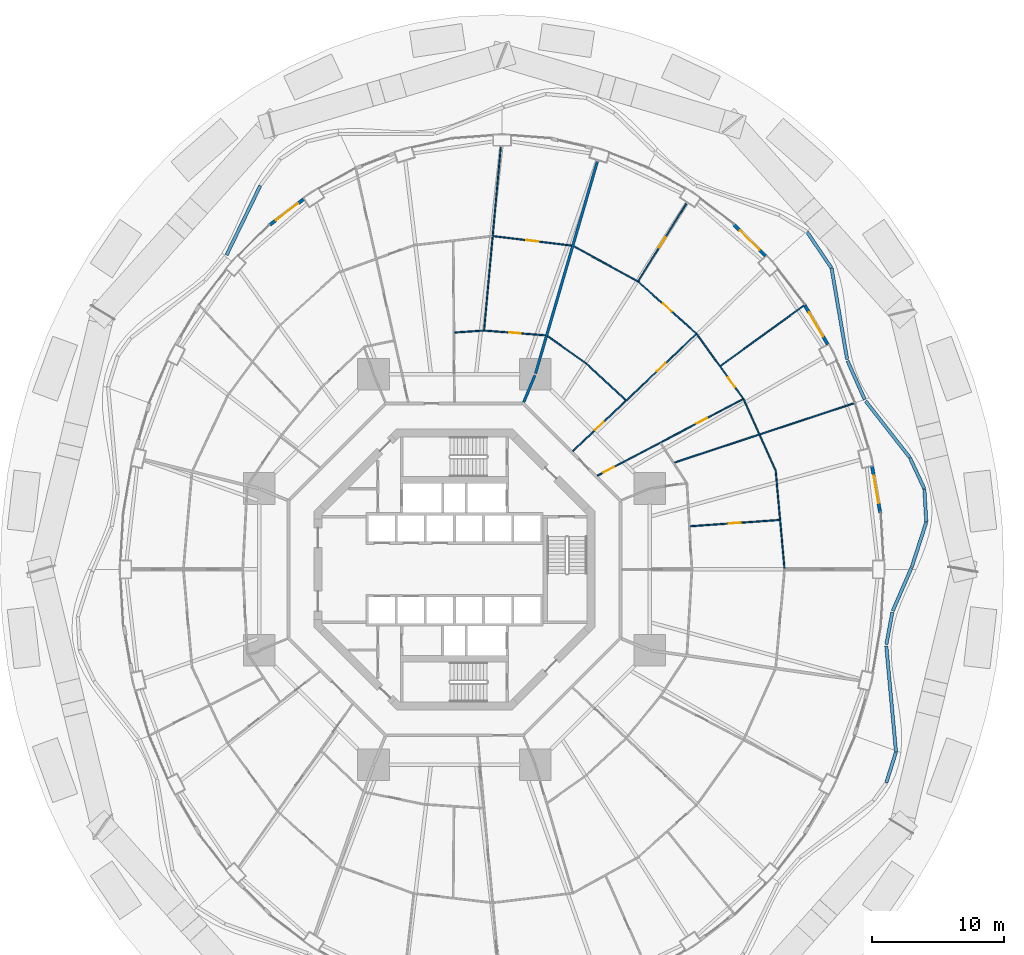
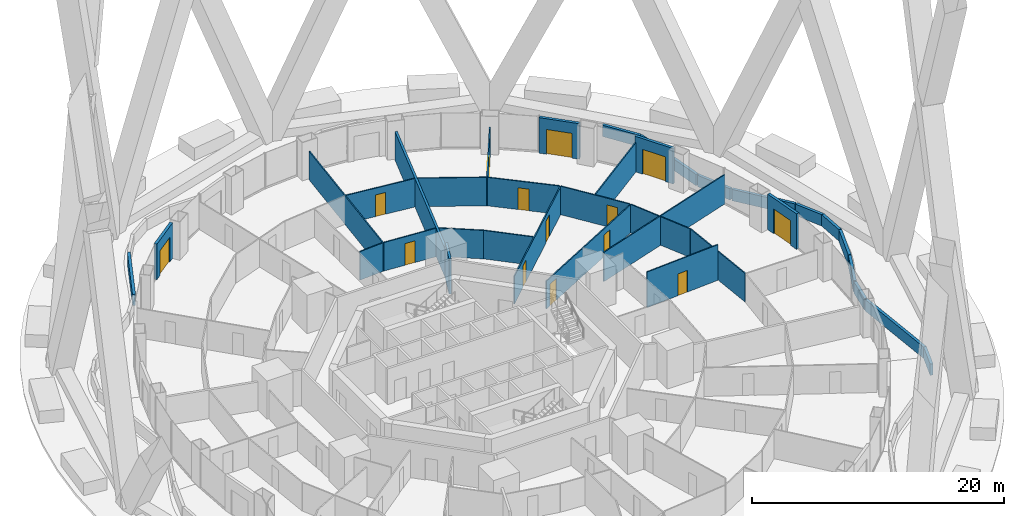
# One storey, part 39 of 42: 35 walls, 14 doors, 14 openings.
"""IFC4 building model written with IfcOpenShell, lengths in metres."""

from ifc_helpers import new_model, si_unit, direction, frame, frame_2d, origin, place, context, subcontext, project, spatial, rectangle, extrude, material, layer, layer_set, type_object, element, fill, save


model = new_model("IFC4")

# Units and contexts
model_context = context("Model", 3, precision=1e-05, world=origin(), true_north=direction((0.0, 1.0)))
body_context = subcontext(model_context, "Body", "Model", "MODEL_VIEW")
ifc_project = project(units=[si_unit("LENGTHUNIT", "METRE"), si_unit("AREAUNIT", "SQUARE_METRE"), si_unit("VOLUMEUNIT", "CUBIC_METRE"), si_unit("PLANEANGLEUNIT", "RADIAN"), si_unit("MASSUNIT", "GRAM", prefix="KILO")], contexts=[model_context])

# Site, building, storey
site_placement = place(None, origin())
site = spatial("IfcSite", under=ifc_project, at=site_placement, CompositionType="ELEMENT")
building_placement = place(site_placement, origin())
building = spatial("IfcBuilding", under=site, at=building_placement, Name="Nagisa Residences", CompositionType="ELEMENT")
storey_placement = place(building_placement, frame((0.0, 0.0, 27.0)))
storey = spatial("IfcBuildingStorey", under=building, at=storey_placement, Name="L05", CompositionType="ELEMENT", Elevation=27.0)

# Walls
ifc_material_1 = material(Name="Gypsum board on steel studs", Category="steel")
ifc_layer_1 = layer(ifc_material_1, 0.199951171875)
ifc_layer_set_1 = layer_set([ifc_layer_1], Name="Apartment compartment wall EI60 200")
wall_type_1 = type_object("IfcWallType", Name="Apartment compartment wall EI60 200", PredefinedType="PARTITIONING", material=ifc_layer_set_1)
wall_1_placement = place(storey_placement, frame((5.24267578125, 12.6572265625, 0.0), z_axis=(0.0, 0.0, 1.0), x_axis=(0.382707856524, 0.923869415315, 0.0)))
element("IfcWall", 1, at=wall_1_placement, inside=storey, type_object=wall_type_1, Name="wall:L05:u00", PredefinedType="PARTITIONING", context=body_context, shape_type="SweptSolid", body=[
    extrude(rectangle(XDim=2.2001953125, YDim=0.199951171875, at=frame_2d((1.10009765625, 0.0))), origin(), (0.0, 0.0, 1.0), 3.43994140625),
])
wall_2_placement = place(storey_placement, frame((6.136962890625, 14.830078125, 0.0), z_axis=(0.0, 0.0, 1.0), x_axis=(0.27985745069, 0.960041565399, 0.0)))
element("IfcWall", 2, at=wall_2_placement, inside=storey, type_object=wall_type_1, Name="wall:L05:u01", PredefinedType="PARTITIONING", context=body_context, shape_type="SweptSolid", body=[
    extrude(rectangle(XDim=16.705078125, YDim=0.199951171875, at=frame_2d((8.3525390625, 0.0))), origin(), (0.0, 0.0, 1.0), 2.756103515625),
])
ifc_material_2 = material(Name="Gypsum board on steel studs", Category="steel")
ifc_layer_2 = layer(ifc_material_2, 0.10009765625)
ifc_layer_set_2 = layer_set([ifc_layer_2], Name="Apartment partition 100")
wall_type_2 = type_object("IfcWallType", Name="Apartment partition 100", PredefinedType="PARTITIONING", material=ifc_layer_set_2)
wall_3_placement = place(storey_placement, frame((24.982177734375, 0.0498046875, 0.0), z_axis=(0.0, 0.0, 1.0), x_axis=(-0.089444214321, 0.995991833563, 0.0)))
element("IfcWall", 3, at=wall_3_placement, inside=storey, type_object=wall_type_2, Name="wall:L05:u20", PredefinedType="PARTITIONING", context=body_context, shape_type="SweptSolid", body=[
    extrude(rectangle(XDim=7.522705078125, YDim=0.10009765625, at=frame_2d((3.76123046875, 0.0))), origin(), (0.0, 0.0, 1.0), 2.756103515625),
])

# Wall, opening, door
wall_4_placement = place(storey_placement, frame((17.8330078125, 3.266845703125, 0.0), z_axis=(0.0, 0.0, 1.0), x_axis=(0.997537184513, 0.070139614438, 0.0)))
wall_4 = element("IfcWall", 4, at=wall_4_placement, inside=storey, type_object=wall_type_2, Name="wall:L05:u22", PredefinedType="PARTITIONING", context=body_context, shape_type="SweptSolid", body=[
    extrude(rectangle(XDim=6.783935546875, YDim=0.10009765625, at=frame_2d((3.39208984375, 0.0))), origin(), (0.0, 0.0, 1.0), 3.43994140625),
])
opening_1_placement = place(wall_4_placement, frame((2.94189453125, 0.0, 0.0)))
opening_1 = element("IfcOpeningElement", 5, at=opening_1_placement, cuts=wall_4, Name="Opening L05-U11", PredefinedType="OPENING", context=body_context, shape_type="SweptSolid", body=[
    extrude(rectangle(XDim=0.89990234375, YDim=2.10009765625, at=frame_2d((0.449951171875, 1.050048828125))), frame((0.0, 0.06005859375, 0.0), z_axis=(0.0, -1.0, 0.0), x_axis=(1.0, 0.0, 0.0)), (0.0, 0.0, 1.0), 0.1201171875),
])
ifc_material_3 = material(Name="Timber door set", Category="wood")
door_type_1 = type_object("IfcDoorType", Name="Apartment door 900x2100", OperationType="NOTDEFINED", PredefinedType="DOOR", material=ifc_material_3)
door_1_placement = place(opening_1_placement, origin())
door_1 = element("IfcDoor", 6, at=door_1_placement, inside=storey, type_object=door_type_1, Name="Door to kitchen, Apartment 05A", OperationType="SINGLE_SWING_LEFT", OverallHeight=2.10009765625, OverallWidth=0.89990234375, PredefinedType="DOOR", context=body_context, shape_type="SweptSolid", body=[
    extrude(rectangle(XDim=0.89990234375, YDim=2.10009765625, at=frame_2d((0.449951171875, 1.050048828125))), frame((0.0, 0.02490234375, 0.0), z_axis=(0.0, -1.0, 0.0), x_axis=(1.0, 0.0, 0.0)), (0.0, 0.0, 1.0), 0.050048828125),
])
fill(opening_1, door_1)

# Walls
wall_5_placement = place(storey_placement, frame((24.293212890625, 7.5380859375, 0.0), z_axis=(0.0, 0.0, 1.0), x_axis=(-0.410197710154, 0.911996622025, 0.0)))
element("IfcWall", 7, at=wall_5_placement, inside=storey, type_object=wall_type_2, Name="wall:L05:u26", PredefinedType="PARTITIONING", context=body_context, shape_type="SweptSolid", body=[
    extrude(rectangle(XDim=5.8369140625, YDim=0.10009765625, at=frame_2d((2.91845703125, 0.0))), origin(), (0.0, 0.0, 1.0), 2.756103515625),
])
wall_6_placement = place(storey_placement, frame((16.634521484375, 8.077880859375, 0.0), z_axis=(0.0, 0.0, 1.0), x_axis=(0.949412285442, 0.314032342684, 0.0)))
element("IfcWall", 8, at=wall_6_placement, inside=storey, type_object=wall_type_2, Name="wall:L05:u27", PredefinedType="PARTITIONING", context=body_context, shape_type="SweptSolid", body=[
    extrude(rectangle(XDim=14.450927734375, YDim=0.10009765625, at=frame_2d((7.2255859375, 0.0))), origin(), (0.0, 0.0, 1.0), 2.8369140625),
])

# Wall, openings, doors
wall_7_placement = place(storey_placement, frame((10.813232421875, 7.091064453125, 0.0), z_axis=(0.0, 0.0, 1.0), x_axis=(0.885182649479, 0.465243674928, 0.0)))
wall_7 = element("IfcWall", 9, at=wall_7_placement, inside=storey, type_object=wall_type_2, Name="wall:L05:u28", PredefinedType="PARTITIONING", context=body_context, shape_type="SweptSolid", body=[
    extrude(rectangle(XDim=12.550537109375, YDim=0.10009765625, at=frame_2d((6.275390625, 0.0))), origin(), (0.0, 0.0, 1.0), 2.68701171875),
])
opening_2_placement = place(wall_7_placement, frame((0.539306640625, 0.0, 0.0)))
opening_2 = element("IfcOpeningElement", 10, at=opening_2_placement, cuts=wall_7, Name="Opening L05-U02", PredefinedType="OPENING", context=body_context, shape_type="SweptSolid", body=[
    extrude(rectangle(XDim=0.89990234375, YDim=2.10009765625, at=frame_2d((0.449951171875, 1.050048828125))), frame((0.0, 0.06005859375, 0.0), z_axis=(0.0, -1.0, 0.0), x_axis=(1.0, 0.0, 0.0)), (0.0, 0.0, 1.0), 0.1201171875),
])
opening_3_placement = place(wall_7_placement, frame((8.493896484375, 0.0, 0.0)))
opening_3 = element("IfcOpeningElement", 11, at=opening_3_placement, cuts=wall_7, Name="Opening L05-U04", PredefinedType="OPENING", context=body_context, shape_type="SweptSolid", body=[
    extrude(rectangle(XDim=0.89990234375, YDim=2.10009765625, at=frame_2d((0.449951171875, 1.050048828125))), frame((0.0, 0.06005859375, 0.0), z_axis=(0.0, -1.0, 0.0), x_axis=(1.0, 0.0, 0.0)), (0.0, 0.0, 1.0), 0.1201171875),
])
door_2_placement = place(opening_2_placement, frame((0.89990234375, 0.0, 0.0), x_axis=(-1.0, 0.0, 0.0)))
door_2 = element("IfcDoor", 12, at=door_2_placement, inside=storey, type_object=door_type_1, Name="Door to family bathroom, Apartment 05A", OperationType="SINGLE_SWING_LEFT", OverallHeight=2.10009765625, OverallWidth=0.89990234375, PredefinedType="DOOR", context=body_context, shape_type="SweptSolid", body=[
    extrude(rectangle(XDim=0.89990234375, YDim=2.10009765625, at=frame_2d((0.449951171875, 1.050048828125))), frame((0.0, 0.02490234375, 0.0), z_axis=(0.0, -1.0, 0.0), x_axis=(1.0, 0.0, 0.0)), (0.0, 0.0, 1.0), 0.050048828125),
])
fill(opening_2, door_2)
door_3_placement = place(opening_3_placement, frame((0.89990234375, 0.0, 0.0), x_axis=(-1.0, 0.0, 0.0)))
door_3 = element("IfcDoor", 13, at=door_3_placement, inside=storey, type_object=door_type_1, Name="Door to family bathroom, Apartment 05A", OperationType="SINGLE_SWING_LEFT", OverallHeight=2.10009765625, OverallWidth=0.89990234375, PredefinedType="DOOR", context=body_context, shape_type="SweptSolid", body=[
    extrude(rectangle(XDim=0.89990234375, YDim=2.10009765625, at=frame_2d((0.449951171875, 1.050048828125))), frame((0.0, 0.02490234375, 0.0), z_axis=(0.0, -1.0, 0.0), x_axis=(1.0, 0.0, 0.0)), (0.0, 0.0, 1.0), 0.050048828125),
])
fill(opening_3, door_3)

# Wall, opening, door
wall_8_placement = place(storey_placement, frame((21.849365234375, 12.947509765625, 0.0), z_axis=(0.0, 0.0, 1.0), x_axis=(-0.584563700282, 0.811347817099, 0.0)))
wall_8 = element("IfcWall", 14, at=wall_8_placement, inside=storey, type_object=wall_type_2, Name="wall:L05:u29", PredefinedType="PARTITIONING", context=body_context, shape_type="SweptSolid", body=[
    extrude(rectangle(XDim=5.984375, YDim=0.10009765625, at=frame_2d((2.9921875, 0.0))), origin(), (0.0, 0.0, 1.0), 2.756103515625),
])
opening_4_placement = place(wall_8_placement, frame((1.046142578125, 0.0, 0.0)))
opening_4 = element("IfcOpeningElement", 15, at=opening_4_placement, cuts=wall_8, Name="Opening L05-U06", PredefinedType="OPENING", context=body_context, shape_type="SweptSolid", body=[
    extrude(rectangle(XDim=0.89990234375, YDim=2.10009765625, at=frame_2d((0.449951171875, 1.050048828125))), frame((0.0, 0.06005859375, 0.0), z_axis=(0.0, -1.0, 0.0), x_axis=(1.0, 0.0, 0.0)), (0.0, 0.0, 1.0), 0.1201171875),
])
door_4_placement = place(opening_4_placement, frame((0.89990234375, 0.0, 0.0), x_axis=(-1.0, 0.0, 0.0)))
door_4 = element("IfcDoor", 16, at=door_4_placement, inside=storey, type_object=door_type_1, Name="Door to master bedroom, Apartment 05A", OperationType="SINGLE_SWING_LEFT", OverallHeight=2.10009765625, OverallWidth=0.89990234375, PredefinedType="DOOR", context=body_context, shape_type="SweptSolid", body=[
    extrude(rectangle(XDim=0.89990234375, YDim=2.10009765625, at=frame_2d((0.449951171875, 1.050048828125))), frame((0.0, 0.02490234375, 0.0), z_axis=(0.0, -1.0, 0.0), x_axis=(1.0, 0.0, 0.0)), (0.0, 0.0, 1.0), 0.050048828125),
])
fill(opening_4, door_4)

# Wall
wall_9_placement = place(storey_placement, frame((20.140625, 15.404541015625, 0.0), z_axis=(0.0, 0.0, 1.0), x_axis=(0.809834895779, 0.58665785734, 0.0)))
element("IfcWall", 17, at=wall_9_placement, inside=storey, type_object=wall_type_2, Name="wall:L05:u30", PredefinedType="PARTITIONING", context=body_context, shape_type="SweptSolid", body=[
    extrude(rectangle(XDim=7.9453125, YDim=0.10009765625, at=frame_2d((3.97265625, 0.0))), origin(), (0.0, 0.0, 1.0), 2.8369140625),
])

# Wall, openings, doors
wall_10_placement = place(storey_placement, frame((8.95703125, 8.953369140625, 0.0), z_axis=(0.0, 0.0, 1.0), x_axis=(0.725250022034, 0.688485588476, 0.0)))
wall_10 = element("IfcWall", 18, at=wall_10_placement, inside=storey, type_object=wall_type_2, Name="wall:L05:u31", PredefinedType="PARTITIONING", context=body_context, shape_type="SweptSolid", body=[
    extrude(rectangle(XDim=12.962646484375, YDim=0.10009765625, at=frame_2d((6.4814453125, 0.0))), origin(), (0.0, 0.0, 1.0), 2.68701171875),
])
opening_5_placement = place(wall_10_placement, frame((2.33349609375, 0.0, 0.0)))
opening_5 = element("IfcOpeningElement", 19, at=opening_5_placement, cuts=wall_10, Name="Opening L05-U03", PredefinedType="OPENING", context=body_context, shape_type="SweptSolid", body=[
    extrude(rectangle(XDim=0.89990234375, YDim=2.10009765625, at=frame_2d((0.449951171875, 1.050048828125))), frame((0.0, 0.06005859375, 0.0), z_axis=(0.0, -1.0, 0.0), x_axis=(1.0, 0.0, 0.0)), (0.0, 0.0, 1.0), 0.1201171875),
])
opening_6_placement = place(wall_10_placement, frame((8.78955078125, 0.0, 0.0)))
opening_6 = element("IfcOpeningElement", 20, at=opening_6_placement, cuts=wall_10, Name="Opening L05-U05", PredefinedType="OPENING", context=body_context, shape_type="SweptSolid", body=[
    extrude(rectangle(XDim=0.89990234375, YDim=2.10009765625, at=frame_2d((0.449951171875, 1.050048828125))), frame((0.0, 0.06005859375, 0.0), z_axis=(0.0, -1.0, 0.0), x_axis=(1.0, 0.0, 0.0)), (0.0, 0.0, 1.0), 0.1201171875),
])
door_5_placement = place(opening_5_placement, origin())
door_5 = element("IfcDoor", 21, at=door_5_placement, inside=storey, type_object=door_type_1, Name="Door to store, Apartment 05A", OperationType="SINGLE_SWING_LEFT", OverallHeight=2.10009765625, OverallWidth=0.89990234375, PredefinedType="DOOR", context=body_context, shape_type="SweptSolid", body=[
    extrude(rectangle(XDim=0.89990234375, YDim=2.10009765625, at=frame_2d((0.449951171875, 1.050048828125))), frame((0.0, 0.02490234375, 0.0), z_axis=(0.0, -1.0, 0.0), x_axis=(1.0, 0.0, 0.0)), (0.0, 0.0, 1.0), 0.050048828125),
])
fill(opening_5, door_5)
door_6_placement = place(opening_6_placement, origin())
door_6 = element("IfcDoor", 22, at=door_6_placement, inside=storey, type_object=door_type_1, Name="Door to dining room, Apartment 05A", OperationType="SINGLE_SWING_LEFT", OverallHeight=2.10009765625, OverallWidth=0.89990234375, PredefinedType="DOOR", context=body_context, shape_type="SweptSolid", body=[
    extrude(rectangle(XDim=0.89990234375, YDim=2.10009765625, at=frame_2d((0.449951171875, 1.050048828125))), frame((0.0, 0.02490234375, 0.0), z_axis=(0.0, -1.0, 0.0), x_axis=(1.0, 0.0, 0.0)), (0.0, 0.0, 1.0), 0.050048828125),
])
fill(opening_6, door_6)

# Wall
wall_11_placement = place(storey_placement, frame((12.957763671875, 12.820068359375, 0.0), z_axis=(0.0, 0.0, 1.0), x_axis=(-0.732028724098, 0.681273768096, 0.0)))
element("IfcWall", 23, at=wall_11_placement, inside=storey, type_object=wall_type_2, Name="wall:L05:u32", PredefinedType="PARTITIONING", context=body_context, shape_type="SweptSolid", body=[
    extrude(rectangle(XDim=4.05029296875, YDim=0.10009765625, at=frame_2d((2.025146484375, 0.0))), origin(), (0.0, 0.0, 1.0), 2.756103515625),
])

# Wall, opening, door
wall_12_placement = place(storey_placement, frame((18.28466796875, 17.876953125, 0.0), z_axis=(0.0, 0.0, 1.0), x_axis=(-0.745806142791, 0.666163041136, 0.0)))
wall_12 = element("IfcWall", 24, at=wall_12_placement, inside=storey, type_object=wall_type_2, Name="wall:L05:u33", PredefinedType="PARTITIONING", context=body_context, shape_type="SweptSolid", body=[
    extrude(rectangle(XDim=5.83056640625, YDim=0.10009765625, at=frame_2d((2.915283203125, 0.0))), origin(), (0.0, 0.0, 1.0), 2.756103515625),
])
opening_7_placement = place(wall_12_placement, frame((2.46533203125, 0.0, 0.0)))
opening_7 = element("IfcOpeningElement", 25, at=opening_7_placement, cuts=wall_12, Name="Opening L05-U07", PredefinedType="OPENING", context=body_context, shape_type="SweptSolid", body=[
    extrude(rectangle(XDim=0.89990234375, YDim=2.10009765625, at=frame_2d((0.449951171875, 1.050048828125))), frame((0.0, 0.06005859375, 0.0), z_axis=(0.0, -1.0, 0.0), x_axis=(1.0, 0.0, 0.0)), (0.0, 0.0, 1.0), 0.1201171875),
])
door_7_placement = place(opening_7_placement, frame((0.89990234375, 0.0, 0.0), x_axis=(-1.0, 0.0, 0.0)))
door_7 = element("IfcDoor", 26, at=door_7_placement, inside=storey, type_object=door_type_1, Name="Door to family room, Apartment 05A", OperationType="SINGLE_SWING_RIGHT", OverallHeight=2.10009765625, OverallWidth=0.89990234375, PredefinedType="DOOR", context=body_context, shape_type="SweptSolid", body=[
    extrude(rectangle(XDim=0.89990234375, YDim=2.10009765625, at=frame_2d((0.449951171875, 1.050048828125))), frame((0.0, 0.02490234375, 0.0), z_axis=(0.0, -1.0, 0.0), x_axis=(1.0, 0.0, 0.0)), (0.0, 0.0, 1.0), 0.050048828125),
])
fill(opening_7, door_7)

# Wall
wall_13_placement = place(storey_placement, frame((9.98876953125, 15.57421875, 0.0), z_axis=(0.0, 0.0, 1.0), x_axis=(-0.81492039338, 0.57957290521, 0.0)))
element("IfcWall", 27, at=wall_13_placement, inside=storey, type_object=wall_type_2, Name="wall:L05:u34", PredefinedType="PARTITIONING", context=body_context, shape_type="SweptSolid", body=[
    extrude(rectangle(XDim=3.594482421875, YDim=0.10009765625, at=frame_2d((1.79736328125, 0.0))), origin(), (0.0, 0.0, 1.0), 2.756103515625),
])

# Wall, opening, door
wall_14_placement = place(storey_placement, frame((13.87255859375, 21.751708984375, 0.0), z_axis=(0.0, 0.0, 1.0), x_axis=(0.52644491616, 0.850209239099, 0.0)))
wall_14 = element("IfcWall", 28, at=wall_14_placement, inside=storey, type_object=wall_type_2, Name="wall:L05:u35", PredefinedType="PARTITIONING", context=body_context, shape_type="SweptSolid", body=[
    extrude(rectangle(XDim=6.98046875, YDim=0.10009765625, at=frame_2d((3.490234375, 0.0))), origin(), (0.0, 0.0, 1.0), 2.756103515625),
])
opening_8_placement = place(wall_14_placement, frame((3.065185546875, 0.0, 0.0)))
opening_8 = element("IfcOpeningElement", 29, at=opening_8_placement, cuts=wall_14, Name="Opening L05-U08", PredefinedType="OPENING", context=body_context, shape_type="SweptSolid", body=[
    extrude(rectangle(XDim=0.89990234375, YDim=2.10009765625, at=frame_2d((0.449951171875, 1.050048828125))), frame((0.0, 0.06005859375, 0.0), z_axis=(0.0, -1.0, 0.0), x_axis=(1.0, 0.0, 0.0)), (0.0, 0.0, 1.0), 0.1201171875),
])
door_8_placement = place(opening_8_placement, origin())
door_8 = element("IfcDoor", 30, at=door_8_placement, inside=storey, type_object=door_type_1, Name="Door to master bedroom, Apartment 05A", OperationType="SINGLE_SWING_RIGHT", OverallHeight=2.10009765625, OverallWidth=0.89990234375, PredefinedType="DOOR", context=body_context, shape_type="SweptSolid", body=[
    extrude(rectangle(XDim=0.89990234375, YDim=2.10009765625, at=frame_2d((0.449951171875, 1.050048828125))), frame((0.0, 0.02490234375, 0.0), z_axis=(0.0, -1.0, 0.0), x_axis=(1.0, 0.0, 0.0)), (0.0, 0.0, 1.0), 0.050048828125),
])
fill(opening_8, door_8)

# Wall
wall_15_placement = place(storey_placement, frame((13.85498046875, 21.818359375, 0.0), z_axis=(0.0, 0.0, 1.0), x_axis=(-0.876809987787, 0.480837025734, 0.0)))
element("IfcWall", 31, at=wall_15_placement, inside=storey, type_object=wall_type_2, Name="wall:L05:u36", PredefinedType="PARTITIONING", context=body_context, shape_type="SweptSolid", body=[
    extrude(rectangle(XDim=5.486083984375, YDim=0.10009765625, at=frame_2d((2.7431640625, 0.0))), origin(), (0.0, 0.0, 1.0), 2.756103515625),
])

# Wall, opening, door
wall_16_placement = place(storey_placement, frame((6.878173828125, 17.72314453125, 0.0), z_axis=(0.0, 0.0, 1.0), x_axis=(-0.99701850123, 0.077162868047, 0.0)))
wall_16 = element("IfcWall", 32, at=wall_16_placement, inside=storey, type_object=wall_type_2, Name="wall:L05:u37", PredefinedType="PARTITIONING", context=body_context, shape_type="SweptSolid", body=[
    extrude(rectangle(XDim=4.603515625, YDim=0.10009765625, at=frame_2d((2.3017578125, 0.0))), origin(), (0.0, 0.0, 1.0), 2.756103515625),
])
opening_9_placement = place(wall_16_placement, frame((1.851806640625, 0.0, 0.0)))
opening_9 = element("IfcOpeningElement", 33, at=opening_9_placement, cuts=wall_16, Name="Opening L05-U18", PredefinedType="OPENING", context=body_context, shape_type="SweptSolid", body=[
    extrude(rectangle(XDim=0.89990234375, YDim=2.10009765625, at=frame_2d((0.449951171875, 1.050048828125))), frame((0.0, 0.06005859375, 0.0), z_axis=(0.0, -1.0, 0.0), x_axis=(1.0, 0.0, 0.0)), (0.0, 0.0, 1.0), 0.1201171875),
])
door_9_placement = place(opening_9_placement, frame((0.89990234375, 0.0, 0.0), x_axis=(-1.0, 0.0, 0.0)))
door_9 = element("IfcDoor", 34, at=door_9_placement, inside=storey, type_object=door_type_1, Name="Door to kitchen, Apartment 05B", OperationType="SINGLE_SWING_LEFT", OverallHeight=2.10009765625, OverallWidth=0.89990234375, PredefinedType="DOOR", context=body_context, shape_type="SweptSolid", body=[
    extrude(rectangle(XDim=0.89990234375, YDim=2.10009765625, at=frame_2d((0.449951171875, 1.050048828125))), frame((0.0, 0.02490234375, 0.0), z_axis=(0.0, -1.0, 0.0), x_axis=(1.0, 0.0, 0.0)), (0.0, 0.0, 1.0), 0.050048828125),
])
fill(opening_9, door_9)

wall_17_placement = place(storey_placement, frame((8.857666015625, 24.516357421875, 0.0), z_axis=(0.0, 0.0, 1.0), x_axis=(-0.992834127896, 0.119500604542, 0.0)))
wall_17 = element("IfcWall", 35, at=wall_17_placement, inside=storey, type_object=wall_type_2, Name="wall:L05:u38", PredefinedType="PARTITIONING", context=body_context, shape_type="SweptSolid", body=[
    extrude(rectangle(XDim=5.95947265625, YDim=0.10009765625, at=frame_2d((2.979736328125, 0.0))), origin(), (0.0, 0.0, 1.0), 2.756103515625),
])
opening_10_placement = place(wall_17_placement, frame((2.52978515625, 0.0, 0.0)))
opening_10 = element("IfcOpeningElement", 36, at=opening_10_placement, cuts=wall_17, Name="Opening L05-U22", PredefinedType="OPENING", context=body_context, shape_type="SweptSolid", body=[
    extrude(rectangle(XDim=0.89990234375, YDim=2.10009765625, at=frame_2d((0.449951171875, 1.050048828125))), frame((0.0, 0.06005859375, 0.0), z_axis=(0.0, -1.0, 0.0), x_axis=(1.0, 0.0, 0.0)), (0.0, 0.0, 1.0), 0.1201171875),
])
door_10_placement = place(opening_10_placement, frame((0.89990234375, 0.0, 0.0), x_axis=(-1.0, 0.0, 0.0)))
door_10 = element("IfcDoor", 37, at=door_10_placement, inside=storey, type_object=door_type_1, Name="Door to master bedroom, Apartment 05B", OperationType="SINGLE_SWING_LEFT", OverallHeight=2.10009765625, OverallWidth=0.89990234375, PredefinedType="DOOR", context=body_context, shape_type="SweptSolid", body=[
    extrude(rectangle(XDim=0.89990234375, YDim=2.10009765625, at=frame_2d((0.449951171875, 1.050048828125))), frame((0.0, 0.02490234375, 0.0), z_axis=(0.0, -1.0, 0.0), x_axis=(1.0, 0.0, 0.0)), (0.0, 0.0, 1.0), 0.050048828125),
])
fill(opening_10, door_10)

# Walls
wall_18_placement = place(storey_placement, frame((2.23388671875, 18.032470703125, 0.0), z_axis=(0.0, 0.0, 1.0), x_axis=(0.090891502968, 0.995860800859, 0.0)))
element("IfcWall", 38, at=wall_18_placement, inside=storey, type_object=wall_type_2, Name="wall:L05:u39", PredefinedType="PARTITIONING", context=body_context, shape_type="SweptSolid", body=[
    extrude(rectangle(XDim=13.983642578125, YDim=0.10009765625, at=frame_2d((6.99169921875, 0.0))), origin(), (0.0, 0.0, 1.0), 2.756103515625),
])
wall_19_placement = place(storey_placement, frame((2.1884765625, 18.078857421875, 0.0), z_axis=(0.0, 0.0, 1.0), x_axis=(-0.997794542617, -0.066378089183, 0.0)))
element("IfcWall", 39, at=wall_19_placement, inside=storey, type_object=wall_type_2, Name="wall:L05:u40", PredefinedType="PARTITIONING", context=body_context, shape_type="SweptSolid", body=[
    extrude(rectangle(XDim=2.184814453125, YDim=0.10009765625, at=frame_2d((1.09228515625, 0.0))), origin(), (0.0, 0.0, 1.0), 2.756103515625),
])

# Wall, opening, door
ifc_material_4 = material(Name="Precast concrete C40/50", Category="concrete")
ifc_layer_3 = layer(ifc_material_4, 0.25)
ifc_layer_set_3 = layer_set([ifc_layer_3], Name="BALCONY DOOR WALL 250")
wall_type_3 = type_object("IfcWallType", Name="BALCONY DOOR WALL 250", PredefinedType="SOLIDWALL", material=ifc_layer_set_3)
wall_20_placement = place(storey_placement, frame((31.609130859375, 7.830078125, 0.0), z_axis=(0.0, 0.0, 1.0), x_axis=(0.172217377323, -0.98505897029, 0.0)))
wall_20 = element("IfcWall", 40, at=wall_20_placement, inside=storey, type_object=wall_type_3, Name="wall:L05:bay01", PredefinedType="SOLIDWALL", context=body_context, shape_type="SweptSolid", body=[
    extrude(rectangle(XDim=3.597900390625, YDim=0.25, at=frame_2d((1.798828125, 0.0))), origin(), (0.0, 0.0, 1.0), 3.43994140625),
])
opening_11_placement = place(wall_20_placement, frame((0.7490234375, 0.0, 0.0)))
opening_11 = element("IfcOpeningElement", 41, at=opening_11_placement, cuts=wall_20, Name="Opening BD-L05-01", PredefinedType="OPENING", context=body_context, shape_type="SweptSolid", body=[
    extrude(rectangle(XDim=2.10009765625, YDim=2.39990234375, at=frame_2d((1.050048828125, 1.199951171875))), frame((0.0, 0.135009765625, 0.0), z_axis=(0.0, -1.0, 0.0), x_axis=(1.0, 0.0, 0.0)), (0.0, 0.0, 1.0), 0.27001953125),
])
ifc_material_5 = material(Name="Aluminium and clear glass", Category="aluminium")
door_type_2 = type_object("IfcDoorType", Name="BALCONY SLIDING DOOR 2100x2400", OperationType="SLIDING_TO_LEFT", PredefinedType="DOOR", material=ifc_material_5)
door_11_placement = place(opening_11_placement, origin())
door_11 = element("IfcDoor", 42, at=door_11_placement, inside=storey, type_object=door_type_2, Name="door:L05:bay01", OperationType="SLIDING_TO_LEFT", OverallHeight=2.39990234375, OverallWidth=2.10009765625, PredefinedType="DOOR", context=body_context, shape_type="SweptSolid", body=[
    extrude(rectangle(XDim=2.10009765625, YDim=2.39990234375, at=frame_2d((1.050048828125, 1.199951171875))), frame((0.0, 0.02490234375, 0.0), z_axis=(0.0, -1.0, 0.0), x_axis=(1.0, 0.0, 0.0)), (0.0, 0.0, 1.0), 0.050048828125),
])
fill(opening_11, door_11)

wall_21_placement = place(storey_placement, frame((26.49951171875, 20.02587890625, 0.0), z_axis=(0.0, 0.0, 1.0), x_axis=(0.506311160839, -0.862350861546, 0.0)))
wall_21 = element("IfcWall", 43, at=wall_21_placement, inside=storey, type_object=wall_type_3, Name="wall:L05:bay04", PredefinedType="SOLIDWALL", context=body_context, shape_type="SweptSolid", body=[
    extrude(rectangle(XDim=3.462158203125, YDim=0.25, at=frame_2d((1.73095703125, 0.0))), origin(), (0.0, 0.0, 1.0), 3.43994140625),
])
opening_12_placement = place(wall_21_placement, frame((0.68115234375, 0.0, 0.0)))
opening_12 = element("IfcOpeningElement", 44, at=opening_12_placement, cuts=wall_21, Name="Opening BD-L05-02", PredefinedType="OPENING", context=body_context, shape_type="SweptSolid", body=[
    extrude(rectangle(XDim=2.10009765625, YDim=2.39990234375, at=frame_2d((1.050048828125, 1.199951171875))), frame((0.0, 0.135009765625, 0.0), z_axis=(0.0, -1.0, 0.0), x_axis=(1.0, 0.0, 0.0)), (0.0, 0.0, 1.0), 0.27001953125),
])
door_12_placement = place(opening_12_placement, origin())
door_12 = element("IfcDoor", 45, at=door_12_placement, inside=storey, type_object=door_type_2, Name="door:L05:bay04", OperationType="SLIDING_TO_LEFT", OverallHeight=2.39990234375, OverallWidth=2.10009765625, PredefinedType="DOOR", context=body_context, shape_type="SweptSolid", body=[
    extrude(rectangle(XDim=2.10009765625, YDim=2.39990234375, at=frame_2d((1.050048828125, 1.199951171875))), frame((0.0, 0.02490234375, 0.0), z_axis=(0.0, -1.0, 0.0), x_axis=(1.0, 0.0, 0.0)), (0.0, 0.0, 1.0), 0.050048828125),
])
fill(opening_12, door_12)

wall_22_placement = place(storey_placement, frame((21.165771484375, 26.09228515625, 0.0), z_axis=(0.0, 0.0, 1.0), x_axis=(0.707803094595, -0.706409781417, 0.0)))
wall_22 = element("IfcWall", 46, at=wall_22_placement, inside=storey, type_object=wall_type_3, Name="wall:L05:bay06", PredefinedType="SOLIDWALL", context=body_context, shape_type="SweptSolid", body=[
    extrude(rectangle(XDim=3.329345703125, YDim=0.25, at=frame_2d((1.66455078125, 0.0))), origin(), (0.0, 0.0, 1.0), 3.43994140625),
])
opening_13_placement = place(wall_22_placement, frame((0.614501953125, 0.0, 0.0)))
opening_13 = element("IfcOpeningElement", 47, at=opening_13_placement, cuts=wall_22, Name="Opening BD-L05-03", PredefinedType="OPENING", context=body_context, shape_type="SweptSolid", body=[
    extrude(rectangle(XDim=2.10009765625, YDim=2.39990234375, at=frame_2d((1.050048828125, 1.199951171875))), frame((0.0, 0.135009765625, 0.0), z_axis=(0.0, -1.0, 0.0), x_axis=(1.0, 0.0, 0.0)), (0.0, 0.0, 1.0), 0.27001953125),
])
door_13_placement = place(opening_13_placement, origin())
door_13 = element("IfcDoor", 48, at=door_13_placement, inside=storey, type_object=door_type_2, Name="door:L05:bay06", OperationType="SLIDING_TO_LEFT", OverallHeight=2.39990234375, OverallWidth=2.10009765625, PredefinedType="DOOR", context=body_context, shape_type="SweptSolid", body=[
    extrude(rectangle(XDim=2.10009765625, YDim=2.39990234375, at=frame_2d((1.050048828125, 1.199951171875))), frame((0.0, 0.02490234375, 0.0), z_axis=(0.0, -1.0, 0.0), x_axis=(1.0, 0.0, 0.0)), (0.0, 0.0, 1.0), 0.050048828125),
])
fill(opening_13, door_13)

wall_23_placement = place(storey_placement, frame((-13.978515625, 26.0810546875, 0.0), z_axis=(0.0, 0.0, 1.0), x_axis=(0.796022293214, 0.605267303517, 0.0)))
wall_23 = element("IfcWall", 49, at=wall_23_placement, inside=storey, type_object=wall_type_3, Name="wall:L05:bay16", PredefinedType="SOLIDWALL", context=body_context, shape_type="SweptSolid", body=[
    extrude(rectangle(XDim=3.262451171875, YDim=0.25, at=frame_2d((1.63134765625, 0.0))), origin(), (0.0, 0.0, 1.0), 3.43994140625),
])
opening_14_placement = place(wall_23_placement, frame((0.5810546875, 0.0, 0.0)))
opening_14 = element("IfcOpeningElement", 50, at=opening_14_placement, cuts=wall_23, Name="Opening BD-L05-06", PredefinedType="OPENING", context=body_context, shape_type="SweptSolid", body=[
    extrude(rectangle(XDim=2.10009765625, YDim=2.39990234375, at=frame_2d((1.050048828125, 1.199951171875))), frame((0.0, 0.135009765625, 0.0), z_axis=(0.0, -1.0, 0.0), x_axis=(1.0, 0.0, 0.0)), (0.0, 0.0, 1.0), 0.27001953125),
])
door_14_placement = place(opening_14_placement, origin())
door_14 = element("IfcDoor", 51, at=door_14_placement, inside=storey, type_object=door_type_2, Name="door:L05:bay16", OperationType="SLIDING_TO_LEFT", OverallHeight=2.39990234375, OverallWidth=2.10009765625, PredefinedType="DOOR", context=body_context, shape_type="SweptSolid", body=[
    extrude(rectangle(XDim=2.10009765625, YDim=2.39990234375, at=frame_2d((1.050048828125, 1.199951171875))), frame((0.0, 0.02490234375, 0.0), z_axis=(0.0, -1.0, 0.0), x_axis=(1.0, 0.0, 0.0)), (0.0, 0.0, 1.0), 0.050048828125),
])
fill(opening_14, door_14)

# Walls
ifc_material_6 = material(Name="Precast concrete C40/50", Category="concrete")
ifc_layer_4 = layer(ifc_material_6, 0.25)
ifc_layer_set_4 = layer_set([ifc_layer_4], Name="PARAPET 250")
wall_type_4 = type_object("IfcWallType", Name="PARAPET 250", PredefinedType="PARAPET", material=ifc_layer_set_4)
wall_24_placement = place(storey_placement, frame((34.61767578125, 0.1748046875, 0.0), z_axis=(0.0, 0.0, 1.0), x_axis=(0.30707891595, 0.951684054389, 0.0)))
element("IfcWall", 52, at=wall_24_placement, inside=storey, type_object=wall_type_4, Name="parapet:L05:bal00-0-00", PredefinedType="PARAPET", context=body_context, shape_type="SweptSolid", body=[
    extrude(rectangle(XDim=3.560302734375, YDim=0.25, at=frame_2d((1.7802734375, 0.0))), origin(), (0.0, 0.0, 1.0), 1.10009765625),
])
wall_25_placement = place(storey_placement, frame((35.71533203125, 3.595458984375, 0.0), z_axis=(0.0, 0.0, 1.0), x_axis=(-0.056879134158, 0.998381071584, 0.0)))
element("IfcWall", 53, at=wall_25_placement, inside=storey, type_object=wall_type_4, Name="parapet:L05:bal00-0-01", PredefinedType="PARAPET", context=body_context, shape_type="SweptSolid", body=[
    extrude(rectangle(XDim=2.485107421875, YDim=0.25, at=frame_2d((1.24267578125, 0.0))), origin(), (0.0, 0.0, 1.0), 1.10009765625),
])
wall_26_placement = place(storey_placement, frame((35.566162109375, 6.107421875, 0.0), z_axis=(0.0, 0.0, 1.0), x_axis=(-0.420306319232, 0.907382277771, 0.0)))
element("IfcWall", 54, at=wall_26_placement, inside=storey, type_object=wall_type_4, Name="parapet:L05:bal00-0-02", PredefinedType="PARAPET", context=body_context, shape_type="SweptSolid", body=[
    extrude(rectangle(XDim=2.56689453125, YDim=0.25, at=frame_2d((1.283447265625, 0.0))), origin(), (0.0, 0.0, 1.0), 1.10009765625),
])
wall_27_placement = place(storey_placement, frame((34.460693359375, 8.47998046875, 0.0), z_axis=(0.0, 0.0, 1.0), x_axis=(-0.615882240598, 0.787838223061, 0.0)))
element("IfcWall", 55, at=wall_27_placement, inside=storey, type_object=wall_type_4, Name="parapet:L05:bal00-0-03", PredefinedType="PARAPET", context=body_context, shape_type="SweptSolid", body=[
    extrude(rectangle(XDim=5.409423828125, YDim=0.25, at=frame_2d((2.70458984375, 0.0))), origin(), (0.0, 0.0, 1.0), 1.10009765625),
])
wall_28_placement = place(storey_placement, frame((31.058837890625, 12.849365234375, 0.0), z_axis=(0.0, 0.0, 1.0), x_axis=(-0.40486170938, 0.914377928582, 0.0)))
element("IfcWall", 56, at=wall_28_placement, inside=storey, type_object=wall_type_4, Name="parapet:L05:bal01-0-00", PredefinedType="PARAPET", context=body_context, shape_type="SweptSolid", body=[
    extrude(rectangle(XDim=3.21240234375, YDim=0.25, at=frame_2d((1.606201171875, 0.0))), origin(), (0.0, 0.0, 1.0), 1.10009765625),
])
wall_29_placement = place(storey_placement, frame((29.7265625, 15.892333984375, 0.0), z_axis=(0.0, 0.0, 1.0), x_axis=(-0.168107215642, 0.985768717321, 0.0)))
element("IfcWall", 57, at=wall_29_placement, inside=storey, type_object=wall_type_4, Name="parapet:L05:bal01-0-01", PredefinedType="PARAPET", context=body_context, shape_type="SweptSolid", body=[
    extrude(rectangle(XDim=7.00146484375, YDim=0.25, at=frame_2d((3.500732421875, 0.0))), origin(), (0.0, 0.0, 1.0), 1.10009765625),
])
wall_30_placement = place(storey_placement, frame((28.5400390625, 22.817626953125, 0.0), z_axis=(0.0, 0.0, 1.0), x_axis=(-0.560884144234, 0.827894302883, 0.0)))
element("IfcWall", 58, at=wall_30_placement, inside=storey, type_object=wall_type_4, Name="parapet:L05:bal01-0-02", PredefinedType="PARAPET", context=body_context, shape_type="SweptSolid", body=[
    extrude(rectangle(XDim=3.299072265625, YDim=0.25, at=frame_2d((1.6494140625, 0.0))), origin(), (0.0, 0.0, 1.0), 1.10009765625),
])
wall_31_placement = place(storey_placement, frame((-14.70703125, 29.037841796875, 0.0), z_axis=(0.0, 0.0, 1.0), x_axis=(-0.437296277374, -0.899317499994, 0.0)))
element("IfcWall", 59, at=wall_31_placement, inside=storey, type_object=wall_type_4, Name="parapet:L05:bal05-0-03", PredefinedType="PARAPET", context=body_context, shape_type="SweptSolid", body=[
    extrude(rectangle(XDim=5.825927734375, YDim=0.25, at=frame_2d((2.9130859375, 0.0))), origin(), (0.0, 0.0, 1.0), 1.10009765625),
])
wall_32_placement = place(storey_placement, frame((32.689208984375, -16.147216796875, 0.0), z_axis=(0.0, 0.0, 1.0), x_axis=(0.301092992215, 0.953594782934, 0.0)))
element("IfcWall", 60, at=wall_32_placement, inside=storey, type_object=wall_type_4, Name="parapet:L05:bal14-0-03", PredefinedType="PARAPET", context=body_context, shape_type="SweptSolid", body=[
    extrude(rectangle(XDim=2.435791015625, YDim=0.25, at=frame_2d((1.2177734375, 0.0))), origin(), (0.0, 0.0, 1.0), 1.10009765625),
])
wall_33_placement = place(storey_placement, frame((33.423583984375, -13.822265625, 0.0), z_axis=(0.0, 0.0, 1.0), x_axis=(-0.090860596111, 0.995863621222, 0.0)))
element("IfcWall", 61, at=wall_33_placement, inside=storey, type_object=wall_type_4, Name="parapet:L05:bal15-0-00", PredefinedType="PARAPET", context=body_context, shape_type="SweptSolid", body=[
    extrude(rectangle(XDim=8.063720703125, YDim=0.25, at=frame_2d((4.03173828125, 0.0))), origin(), (0.0, 0.0, 1.0), 1.10009765625),
])
wall_34_placement = place(storey_placement, frame((32.6962890625, -5.6787109375, 0.0), z_axis=(0.0, 0.0, 1.0), x_axis=(0.182584016384, 0.983190254712, 0.0)))
element("IfcWall", 62, at=wall_34_placement, inside=storey, type_object=wall_type_4, Name="parapet:L05:bal15-0-01", PredefinedType="PARAPET", context=body_context, shape_type="SweptSolid", body=[
    extrude(rectangle(XDim=2.4736328125, YDim=0.25, at=frame_2d((1.23681640625, 0.0))), origin(), (0.0, 0.0, 1.0), 1.10009765625),
])
wall_35_placement = place(storey_placement, frame((33.17919921875, -3.143798828125, 0.0), z_axis=(0.0, 0.0, 1.0), x_axis=(0.397314501354, 0.917682508831, 0.0)))
element("IfcWall", 63, at=wall_35_placement, inside=storey, type_object=wall_type_4, Name="parapet:L05:bal15-0-02", PredefinedType="PARAPET", context=body_context, shape_type="SweptSolid", body=[
    extrude(rectangle(XDim=3.555419921875, YDim=0.25, at=frame_2d((1.77783203125, 0.0))), origin(), (0.0, 0.0, 1.0), 1.10009765625),
])

save(model, "model.ifc")
